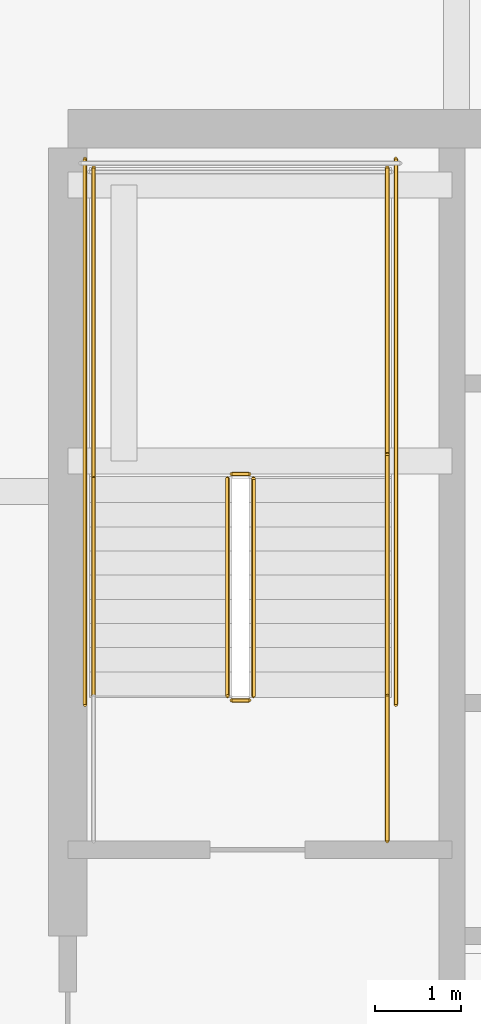
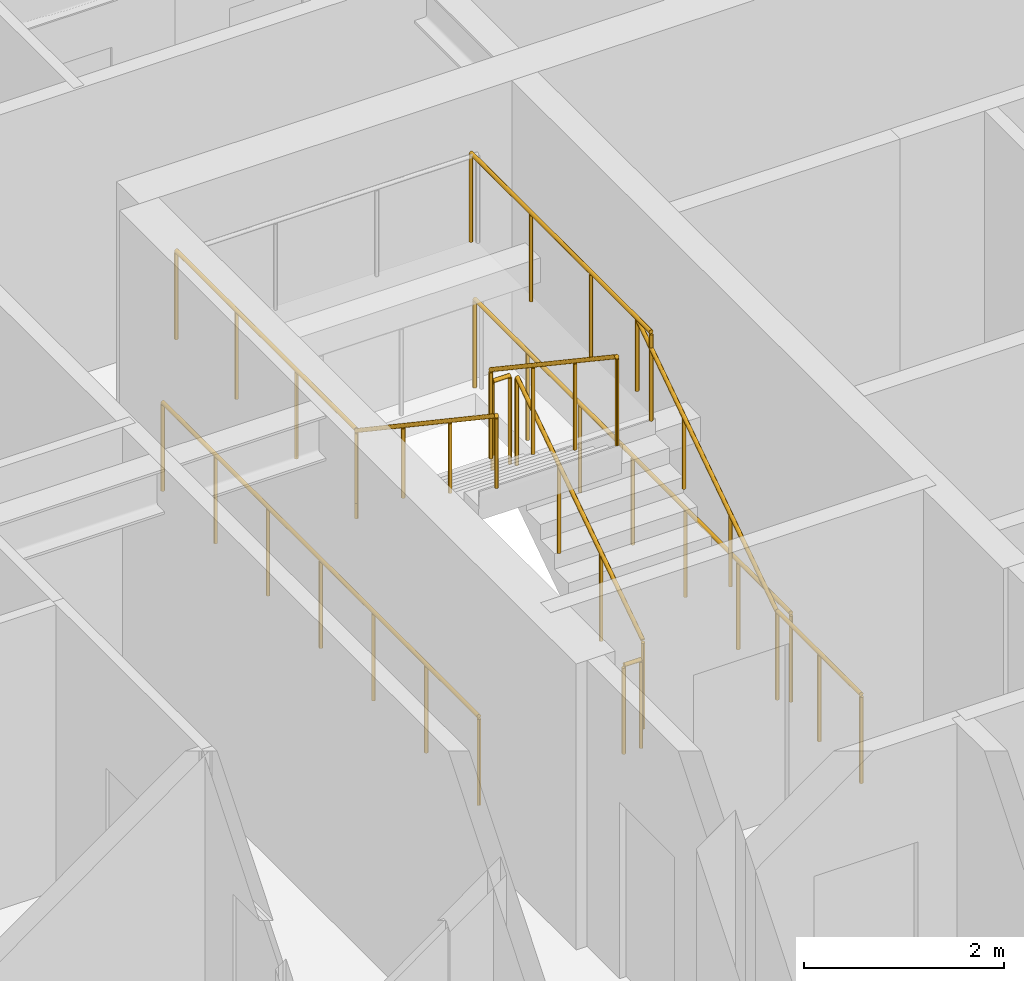
# One storey, part 35 of 38: 11 railings.
"""IFC4 building model written with IfcOpenShell, lengths in metres."""

from ifc_helpers import new_model, si_unit, direction, frame, origin, origin_2d, place, context, subcontext, project, spatial, circle, extrude, material, type_object, element, save


model = new_model("IFC4")

# Units and contexts
model_context = context("Model", 3, precision=1e-05, world=origin(), true_north=direction((0.0, 1.0)))
body_context = subcontext(model_context, "Body", "Model", "MODEL_VIEW")
ifc_project = project(units=[si_unit("LENGTHUNIT", "METRE"), si_unit("AREAUNIT", "SQUARE_METRE"), si_unit("VOLUMEUNIT", "CUBIC_METRE"), si_unit("PLANEANGLEUNIT", "RADIAN"), si_unit("MASSUNIT", "GRAM", prefix="KILO")], contexts=[model_context])

# Site, building, storey
site_placement = place(None, origin())
site = spatial("IfcSite", under=ifc_project, at=site_placement, CompositionType="ELEMENT")
building_placement = place(site_placement, origin())
building = spatial("IfcBuilding", under=site, at=building_placement, Name="Serunith Strait Residences", CompositionType="ELEMENT")
storey_placement = place(building_placement, frame((0.0, 0.0, 52.949951171875)))
storey = spatial("IfcBuildingStorey", under=building, at=storey_placement, Name="L12", CompositionType="ELEMENT", Elevation=52.949951171875)

# Railings
ifc_material = material(Name="Brushed stainless steel 316L", Category="steel")
railing_type_1 = type_object("IfcRailingType", Name="RLG-STAIR-GUARD", PredefinedType="BALUSTRADE", material=ifc_material)
railing_1_placement = place(storey_placement, frame((25.550048828125, 27.030029296875, 0.1875)))
element("IfcRailing", 1, at=railing_1_placement, inside=storey, type_object=railing_type_1, Name="L12 ST-1 stair guard 1", PredefinedType="BALUSTRADE", context=body_context, shape_type="SweptSolid", body=[
    extrude(circle(Radius=0.02392578125, at=origin_2d()), frame((0.0, 0.001708984375, 1.0771484375), z_axis=(0.0, 0.830909170722, 0.55640807867), x_axis=(-1.0, 0.0, 0.0)), (0.0, 0.0, 1.0), 3.02880859375),
    extrude(circle(Radius=0.02099609375, at=origin_2d()), origin(), (0.0, 0.0, 1.0), 1.050048828125),
    extrude(circle(Radius=0.02099609375, at=origin_2d()), frame((0.0, 0.840087890625, 0.5625)), (0.0, 0.0, 1.0), 1.050048828125),
    extrude(circle(Radius=0.02099609375, at=origin_2d()), frame((0.0, 1.679931640625, 1.125)), (0.0, 0.0, 1.0), 1.050048828125),
    extrude(circle(Radius=0.02099609375, at=origin_2d()), frame((0.0, 2.52001953125, 1.6875)), (0.0, 0.0, 1.0), 1.050048828125),
])
railing_2_placement = place(storey_placement, frame((25.5, 29.60009765625, 1.875)))
element("IfcRailing", 2, at=railing_2_placement, inside=storey, type_object=railing_type_1, Name="L12 ST-1 stair guard 2", PredefinedType="BALUSTRADE", context=body_context, shape_type="SweptSolid", body=[
    extrude(circle(Radius=0.02392578125, at=origin_2d()), frame((-0.001953125, 0.0, 1.076171875), z_axis=(-1.0, 0.0, 0.0), x_axis=(0.0, -1.0, 0.0)), (0.0, 0.0, 1.0), 0.196044921875),
    extrude(circle(Radius=0.02099609375, at=origin_2d()), origin(), (0.0, 0.0, 1.0), 1.050048828125),
    extrude(circle(Radius=0.02099609375, at=origin_2d()), frame((-0.199951171875, 0.0, 0.0)), (0.0, 0.0, 1.0), 1.050048828125),
])
for number, where, name in (
    (3, (27.10009765625, 29.550048828125, 1.875), "L12 ST-1 stair guard 3"),
    (4, (23.699951171875, 29.550048828125, 1.875), "L12 ST-1 stair guard 4"),
):
    element("IfcRailing", number, at=place(storey_placement, frame(where)), inside=storey, type_object=railing_type_1, Name=name, PredefinedType="BALUSTRADE", context=body_context, shape_type="SweptSolid", body=[
        extrude(circle(Radius=0.02392578125, at=origin_2d()), frame((0.0, 0.001953125, 1.076171875), z_axis=(0.0, 1.0, 0.0), x_axis=(-1.0, 0.0, 0.0)), (0.0, 0.0, 1.0), 3.595947265625),
        extrude(circle(Radius=0.02099609375, at=origin_2d()), origin(), (0.0, 0.0, 1.0), 1.050048828125),
        extrude(circle(Radius=0.02099609375, at=origin_2d()), frame((0.0, 1.199951171875, 0.0)), (0.0, 0.0, 1.0), 1.050048828125),
        extrude(circle(Radius=0.02099609375, at=origin_2d()), frame((0.0, 2.39990234375, 0.0)), (0.0, 0.0, 1.0), 1.050048828125),
        extrude(circle(Radius=0.02099609375, at=origin_2d()), frame((0.0, 3.599853515625, 0.0)), (0.0, 0.0, 1.0), 1.050048828125),
    ])
railing_3_placement = place(storey_placement, frame((25.25, 29.550048828125, 2.0625)))
element("IfcRailing", 5, at=railing_3_placement, inside=storey, type_object=railing_type_1, Name="L12 ST-1 stair guard 6", PredefinedType="BALUSTRADE", context=body_context, shape_type="SweptSolid", body=[
    extrude(circle(Radius=0.02392578125, at=origin_2d()), frame((0.0, -0.001708984375, 1.0771484375), z_axis=(0.0, -0.830909170722, 0.55640807867), x_axis=(1.0, 0.0, 0.0)), (0.0, 0.0, 1.0), 3.02880859375),
    extrude(circle(Radius=0.02099609375, at=origin_2d()), origin(), (0.0, 0.0, 1.0), 1.050048828125),
    extrude(circle(Radius=0.02099609375, at=origin_2d()), frame((0.0, -0.840087890625, 0.5625)), (0.0, 0.0, 1.0), 1.050048828125),
    extrude(circle(Radius=0.02099609375, at=origin_2d()), frame((0.0, -1.679931640625, 1.125)), (0.0, 0.0, 1.0), 1.050048828125),
    extrude(circle(Radius=0.02099609375, at=origin_2d()), frame((0.0, -2.52001953125, 1.6875)), (0.0, 0.0, 1.0), 1.050048828125),
])
railing_4_placement = place(storey_placement, frame((25.5, 26.97998046875, 0.0)))
element("IfcRailing", 6, at=railing_4_placement, inside=storey, type_object=railing_type_1, Name="L12 ST-1 stair guard 7", PredefinedType="BALUSTRADE", context=body_context, shape_type="SweptSolid", body=[
    extrude(circle(Radius=0.02392578125, at=origin_2d()), frame((-0.001953125, 0.0, 1.076171875), z_axis=(-1.0, 0.0, 0.0), x_axis=(0.0, -1.0, 0.0)), (0.0, 0.0, 1.0), 0.196044921875),
    extrude(circle(Radius=0.02099609375, at=origin_2d()), origin(), (0.0, 0.0, 1.0), 1.050048828125),
    extrude(circle(Radius=0.02099609375, at=origin_2d()), frame((-0.199951171875, 0.0, 0.0)), (0.0, 0.0, 1.0), 1.050048828125),
])
railing_5_placement = place(storey_placement, frame((27.10009765625, 25.35009765625, 0.0)))
element("IfcRailing", 7, at=railing_5_placement, inside=storey, type_object=railing_type_1, Name="L12 ST-1 stair guard 8", PredefinedType="BALUSTRADE", context=body_context, shape_type="SweptSolid", body=[
    extrude(circle(Radius=0.02392578125, at=origin_2d()), frame((0.0, 0.001953125, 1.076171875), z_axis=(0.0, 1.0, 0.0), x_axis=(-1.0, 0.0, 0.0)), (0.0, 0.0, 1.0), 1.676025390625),
    extrude(circle(Radius=0.02099609375, at=origin_2d()), origin(), (0.0, 0.0, 1.0), 1.050048828125),
    extrude(circle(Radius=0.02099609375, at=origin_2d()), frame((0.0, 0.83984375, 0.0)), (0.0, 0.0, 1.0), 1.050048828125),
    extrude(circle(Radius=0.02099609375, at=origin_2d()), frame((0.0, 1.679931640625, 0.0)), (0.0, 0.0, 1.0), 1.050048828125),
])
for number, where, name in (
    (8, (27.199951171875, 26.929931640625, 0.0), "L12 ST-1 stair guard 10"),
    (9, (23.60009765625, 26.929931640625, 0.0), "L12 ST-1 stair guard 11"),
):
    element("IfcRailing", number, at=place(storey_placement, frame(where)), inside=storey, type_object=railing_type_1, Name=name, PredefinedType="BALUSTRADE", context=body_context, shape_type="SweptSolid", body=[
        extrude(circle(Radius=0.02392578125, at=origin_2d()), frame((0.0, 0.001953125, 1.076171875), z_axis=(0.0, 1.0, 0.0), x_axis=(-1.0, 0.0, 0.0)), (0.0, 0.0, 1.0), 6.316162109375),
        extrude(circle(Radius=0.02099609375, at=origin_2d()), origin(), (0.0, 0.0, 1.0), 1.050048828125),
        extrude(circle(Radius=0.02099609375, at=origin_2d()), frame((0.0, 1.05322265625, 0.0)), (0.0, 0.0, 1.0), 1.050048828125),
        extrude(circle(Radius=0.02099609375, at=origin_2d()), frame((0.0, 2.106689453125, 0.0)), (0.0, 0.0, 1.0), 1.050048828125),
        extrude(circle(Radius=0.02099609375, at=origin_2d()), frame((0.0, 3.16015625, 0.0)), (0.0, 0.0, 1.0), 1.050048828125),
        extrude(circle(Radius=0.02099609375, at=origin_2d()), frame((0.0, 4.21337890625, 0.0)), (0.0, 0.0, 1.0), 1.050048828125),
        extrude(circle(Radius=0.02099609375, at=origin_2d()), frame((0.0, 5.2666015625, 0.0)), (0.0, 0.0, 1.0), 1.050048828125),
        extrude(circle(Radius=0.02099609375, at=origin_2d()), frame((0.0, 6.320068359375, 0.0)), (0.0, 0.0, 1.0), 1.050048828125),
    ])
railing_type_2 = type_object("IfcRailingType", Name="RLG-STAIR-HR", PredefinedType="HANDRAIL", material=ifc_material)
railing_6_placement = place(storey_placement, frame((27.10009765625, 27.030029296875, 0.1875)))
element("IfcRailing", 10, at=railing_6_placement, inside=storey, type_object=railing_type_2, Name="L12 ST-1 stair handrail 1", PredefinedType="HANDRAIL", context=body_context, shape_type="SweptSolid", body=[
    extrude(circle(Radius=0.02392578125, at=origin_2d()), frame((0.0, 0.001708984375, 0.876953125), z_axis=(0.0, 0.830208209119, 0.557453432594), x_axis=(-1.0, 0.0, 0.0)), (0.0, 0.0, 1.0), 3.36865234375),
    extrude(circle(Radius=0.02099609375, at=origin_2d()), origin(), (0.0, 0.0, 1.0), 0.849853515625),
    extrude(circle(Radius=0.02099609375, at=origin_2d()), frame((0.0, 0.933349609375, 0.626708984375)), (0.0, 0.0, 1.0), 0.849853515625),
    extrude(circle(Radius=0.02099609375, at=origin_2d()), frame((0.0, 1.86669921875, 1.25341796875)), (0.0, 0.0, 1.0), 0.849853515625),
    extrude(circle(Radius=0.02099609375, at=origin_2d()), frame((0.0, 2.800048828125, 1.880126953125)), (0.0, 0.0, 1.0), 0.849853515625),
])
railing_7_placement = place(storey_placement, frame((23.699951171875, 29.550048828125, 2.0625)))
element("IfcRailing", 11, at=railing_7_placement, inside=storey, type_object=railing_type_2, Name="L12 ST-1 stair handrail 2", PredefinedType="HANDRAIL", context=body_context, shape_type="SweptSolid", body=[
    extrude(circle(Radius=0.02392578125, at=origin_2d()), frame((0.0, -0.001708984375, 0.876953125), z_axis=(0.0, -0.830208209119, 0.557453432594), x_axis=(1.0, 0.0, 0.0)), (0.0, 0.0, 1.0), 3.36865234375),
    extrude(circle(Radius=0.02099609375, at=origin_2d()), origin(), (0.0, 0.0, 1.0), 0.849853515625),
    extrude(circle(Radius=0.02099609375, at=origin_2d()), frame((0.0, -0.933349609375, 0.626708984375)), (0.0, 0.0, 1.0), 0.849853515625),
    extrude(circle(Radius=0.02099609375, at=origin_2d()), frame((0.0, -1.86669921875, 1.25341796875)), (0.0, 0.0, 1.0), 0.849853515625),
    extrude(circle(Radius=0.02099609375, at=origin_2d()), frame((0.0, -2.800048828125, 1.880126953125)), (0.0, 0.0, 1.0), 0.849853515625),
])

save(model, "model.ifc")
